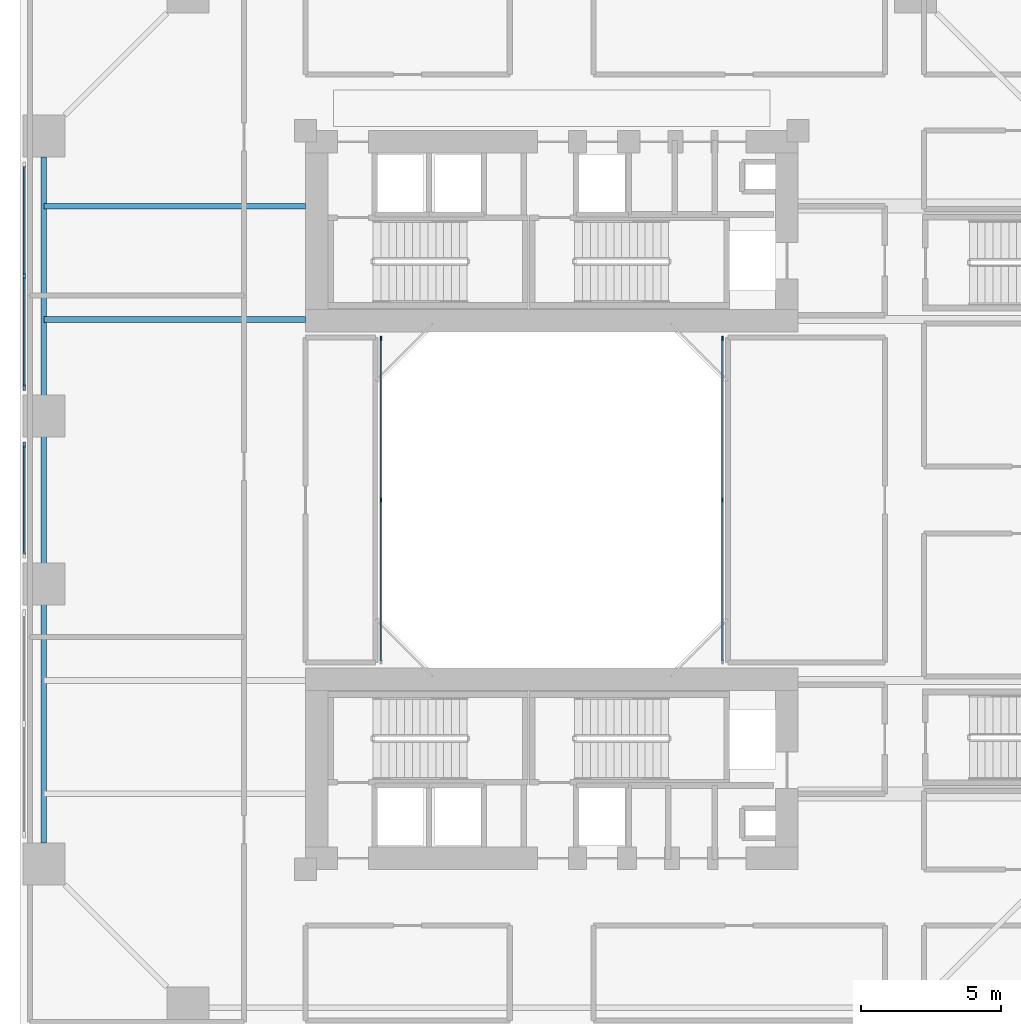
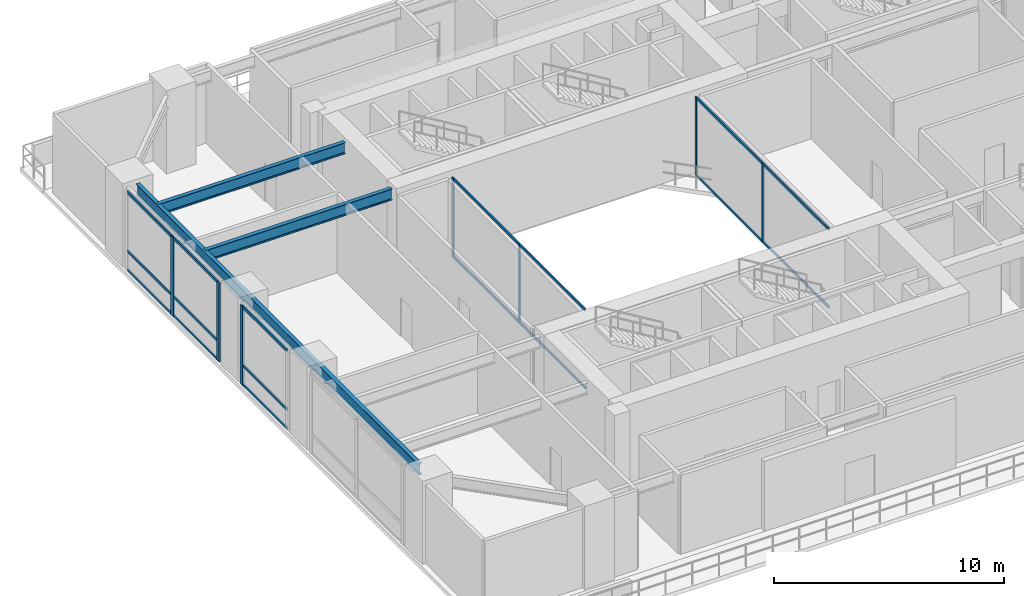
# One storey, part 3 of 19: 24 members, 3 beams, 4 elements without a shape of their own.
"""IFC4 building model written with IfcOpenShell, lengths in metres."""

from ifc_helpers import new_model, si_unit, direction, frame, origin, origin_2d, place, context, subcontext, project, spatial, rectangle, i_section, extrude, source, transform, mapped, material, layer, layer_set, material_profile, profile_set, type_object, element, aggregate, save


model = new_model("IFC4")

# Units and contexts
model_context = context("Model", 3, precision=1e-05, world=origin(), true_north=direction((0.0, 1.0)))
body_context = subcontext(model_context, "Body", "Model", "MODEL_VIEW")
ifc_project = project(units=[si_unit("LENGTHUNIT", "METRE"), si_unit("AREAUNIT", "SQUARE_METRE"), si_unit("VOLUMEUNIT", "CUBIC_METRE"), si_unit("PLANEANGLEUNIT", "RADIAN"), si_unit("MASSUNIT", "GRAM", prefix="KILO"), si_unit("THERMODYNAMICTEMPERATUREUNIT", "KELVIN"), si_unit("POWERUNIT", "WATT")], contexts=[model_context])

# Site, building, storey
site_placement = place(None, origin())
site = spatial("IfcSite", under=ifc_project, at=site_placement, CompositionType="ELEMENT")
building_placement = place(site_placement, origin())
building = spatial("IfcBuilding", under=site, at=building_placement, Name="Qiaomeng Ring Towers", CompositionType="ELEMENT")
storey_placement = place(building_placement, frame((0.0, 0.0, 9.39990234375)))
storey = spatial("IfcBuildingStorey", under=building, at=storey_placement, Name="L02", CompositionType="ELEMENT", Elevation=9.39990234375)

# Beams
ifc_material_1 = material(Name="Steel Q355B", Category="steel")
ifc_material_profile_1 = material_profile(ifc_material_1, i_section(OverallWidth=0.199951171875, OverallDepth=0.60009765625, WebThickness=0.010986328125, FlangeThickness=0.01708984375, FilletRadius=0.02197265625, at=origin_2d()), Name="HN 600x200x11x17")
ifc_profile_set_1 = profile_set([ifc_material_profile_1], Name="Steel Q355B")
beam_type = type_object("IfcBeamType", Name="STR-BM-HN600", PredefinedType="BEAM", material=ifc_profile_set_1)
shared_shape_1 = source(origin(), body_context, "Body", "SweptSolid", [
    extrude(i_section(OverallWidth=0.199951171875, OverallDepth=0.60009765625, WebThickness=0.010986328125, FlangeThickness=0.01708984375, FilletRadius=0.02197265625, at=origin_2d()), origin(), (0.0, 0.0, 1.0), 24.501953125),
])
beam_placement = place(storey_placement, frame((0.85009765625, 10.7490234375, 3.880126953125), z_axis=(0.0, 1.0, 0.0), x_axis=(-1.0, 0.0, 0.0)))
element("IfcBeam", 1, at=beam_placement, inside=storey, type_object=beam_type, Name="L02 beam STR-SP-L02-WL", PredefinedType="BEAM", context=body_context, shape_type="MappedRepresentation", body=[
    mapped(shared_shape_1, transform((0.0, 0.0, 0.0), x_axis=(1.0, 0.0, 0.0), y_axis=(0.0, 1.0, 0.0), z_axis=(0.0, 0.0, 1.0), scale=1.0)),
])
shared_shape_2 = source(origin(), body_context, "Body", "SweptSolid", [
    extrude(i_section(OverallWidth=0.199951171875, OverallDepth=0.60009765625, WebThickness=0.010986328125, FlangeThickness=0.01708984375, FilletRadius=0.02197265625, at=origin_2d()), origin(), (0.0, 0.0, 1.0), 9.349853515625),
])
for number, where, z_axis, x_axis, name in (
    (2, (0.85009765625, 29.449951171875, 3.880126953125), (1.0, 0.0, 0.0), (0.0, 1.0, 0.0), "L02 beam STR-BM-L02-W-2"),
    (3, (0.85009765625, 33.5, 3.880126953125), (1.0, 0.0, 0.0), (0.0, 1.0, 0.0), "L02 beam STR-BM-L02-W-3"),
):
    element("IfcBeam", number, at=place(storey_placement, frame(where, z_axis=z_axis, x_axis=x_axis)), inside=storey, type_object=beam_type, Name=name, PredefinedType="BEAM", context=body_context, shape_type="MappedRepresentation", body=[
        mapped(shared_shape_2, transform((0.0, 0.0, 0.0), x_axis=(1.0, 0.0, 0.0), y_axis=(0.0, 1.0, 0.0), z_axis=(0.0, 0.0, 1.0), scale=1.0)),
    ])

# Curtain wall, members
ifc_material_2 = material(Name="Fluorocarbon dark-grey aluminium", Category="aluminium")
ifc_layer_1 = layer(ifc_material_2, 0.179931640625, Name="Fluorocarbon dark-grey aluminium")
ifc_layer_set_1 = layer_set([ifc_layer_1], Name="Fluorocarbon dark-grey aluminium")
curtain_wall_type_1 = type_object("IfcCurtainWallType", Name="ARC-CW-1", PredefinedType="NOTDEFINED", material=ifc_layer_set_1)
curtain_wall_1_placement = place(storey_placement, origin())
curtain_wall_1 = element("IfcCurtainWall", 4, at=curtain_wall_1_placement, inside=storey, type_object=curtain_wall_type_1, Name="L02 Curtain Wall CW1", PredefinedType="NOTDEFINED")
ifc_material_profile_2 = material_profile(ifc_material_2, rectangle(XDim=0.070068359375, YDim=0.139892578125, at=origin_2d()), Name="ALU TRAN 70x140")
ifc_profile_set_2 = profile_set([ifc_material_profile_2], Name="Fluorocarbon dark-grey aluminium")
member_type_1 = type_object("IfcMemberType", Name="ARC-CWT-140", PredefinedType="USERDEFINED", material=ifc_profile_set_2)
shared_shape_3 = source(origin(), body_context, "Body", "SweptSolid", [
    extrude(rectangle(XDim=0.070068359375, YDim=0.139892578125, at=origin_2d()), origin(), (0.0, 0.0, 1.0), 3.889892578125),
])
member_1_placement = place(storey_placement, frame((0.14990234375, 27.070068359375, 0.03515625), z_axis=(0.0, 1.0, 0.0), x_axis=(-1.0, 0.0, 0.0)))
member_1 = element("IfcMember", 5, at=member_1_placement, type_object=member_type_1, Name="CW1 transom 1.1", ObjectType="TRANSOM", PredefinedType="USERDEFINED", context=body_context, shape_type="MappedRepresentation", body=[
    mapped(shared_shape_3, transform((0.0, 0.0, 0.0), x_axis=(1.0, 0.0, 0.0), y_axis=(0.0, 1.0, 0.0), z_axis=(0.0, 0.0, 1.0), scale=1.0)),
])
member_2_placement = place(storey_placement, frame((0.14990234375, 27.070068359375, 1.050048828125), z_axis=(0.0, 1.0, 0.0), x_axis=(-1.0, 0.0, 0.0)))
member_2 = element("IfcMember", 6, at=member_2_placement, type_object=member_type_1, Name="CW1 transom 1.2", ObjectType="TRANSOM", PredefinedType="USERDEFINED", context=body_context, shape_type="MappedRepresentation", body=[
    mapped(shared_shape_3, transform((0.0, 0.0, 0.0), x_axis=(1.0, 0.0, 0.0), y_axis=(0.0, 1.0, 0.0), z_axis=(0.0, 0.0, 1.0), scale=1.0)),
])
member_3_placement = place(storey_placement, frame((0.14990234375, 27.070068359375, 4.14501953125), z_axis=(0.0, 1.0, 0.0), x_axis=(-1.0, 0.0, 0.0)))
member_3 = element("IfcMember", 7, at=member_3_placement, type_object=member_type_1, Name="CW1 transom 1.3", ObjectType="TRANSOM", PredefinedType="USERDEFINED", context=body_context, shape_type="MappedRepresentation", body=[
    mapped(shared_shape_3, transform((0.0, 0.0, 0.0), x_axis=(1.0, 0.0, 0.0), y_axis=(0.0, 1.0, 0.0), z_axis=(0.0, 0.0, 1.0), scale=1.0)),
])
member_4_placement = place(storey_placement, frame((0.14990234375, 31.0400390625, 0.03515625), z_axis=(0.0, 1.0, 0.0), x_axis=(-1.0, 0.0, 0.0)))
member_4 = element("IfcMember", 8, at=member_4_placement, type_object=member_type_1, Name="CW1 transom 2.1", ObjectType="TRANSOM", PredefinedType="USERDEFINED", context=body_context, shape_type="MappedRepresentation", body=[
    mapped(shared_shape_3, transform((0.0, 0.0, 0.0), x_axis=(1.0, 0.0, 0.0), y_axis=(0.0, 1.0, 0.0), z_axis=(0.0, 0.0, 1.0), scale=1.0)),
])
member_5_placement = place(storey_placement, frame((0.14990234375, 31.0400390625, 1.050048828125), z_axis=(0.0, 1.0, 0.0), x_axis=(-1.0, 0.0, 0.0)))
member_5 = element("IfcMember", 9, at=member_5_placement, type_object=member_type_1, Name="CW1 transom 2.2", ObjectType="TRANSOM", PredefinedType="USERDEFINED", context=body_context, shape_type="MappedRepresentation", body=[
    mapped(shared_shape_3, transform((0.0, 0.0, 0.0), x_axis=(1.0, 0.0, 0.0), y_axis=(0.0, 1.0, 0.0), z_axis=(0.0, 0.0, 1.0), scale=1.0)),
])
member_6_placement = place(storey_placement, frame((0.14990234375, 31.0400390625, 4.14501953125), z_axis=(0.0, 1.0, 0.0), x_axis=(-1.0, 0.0, 0.0)))
member_6 = element("IfcMember", 10, at=member_6_placement, type_object=member_type_1, Name="CW1 transom 2.3", ObjectType="TRANSOM", PredefinedType="USERDEFINED", context=body_context, shape_type="MappedRepresentation", body=[
    mapped(shared_shape_3, transform((0.0, 0.0, 0.0), x_axis=(1.0, 0.0, 0.0), y_axis=(0.0, 1.0, 0.0), z_axis=(0.0, 0.0, 1.0), scale=1.0)),
])

curtain_wall_2_placement = place(storey_placement, origin())
curtain_wall_2 = element("IfcCurtainWall", 11, at=curtain_wall_2_placement, inside=storey, type_object=curtain_wall_type_1, Name="L02 Curtain Wall CW1", PredefinedType="NOTDEFINED")
shared_shape_4 = source(origin(), body_context, "Body", "SweptSolid", [
    extrude(rectangle(XDim=0.070068359375, YDim=0.139892578125, at=origin_2d()), origin(), (0.0, 0.0, 1.0), 3.85986328125),
])
member_7_placement = place(storey_placement, frame((0.14990234375, 21.070068359375, 0.03515625), z_axis=(0.0, 1.0, 0.0), x_axis=(-1.0, 0.0, 0.0)))
member_7 = element("IfcMember", 12, at=member_7_placement, type_object=member_type_1, Name="CW1 transom 1.1", ObjectType="TRANSOM", PredefinedType="USERDEFINED", context=body_context, shape_type="MappedRepresentation", body=[
    mapped(shared_shape_4, transform((0.0, 0.0, 0.0), x_axis=(1.0, 0.0, 0.0), y_axis=(0.0, 1.0, 0.0), z_axis=(0.0, 0.0, 1.0), scale=1.0)),
])
member_8_placement = place(storey_placement, frame((0.14990234375, 21.070068359375, 1.050048828125), z_axis=(0.0, 1.0, 0.0), x_axis=(-1.0, 0.0, 0.0)))
member_8 = element("IfcMember", 13, at=member_8_placement, type_object=member_type_1, Name="CW1 transom 1.2", ObjectType="TRANSOM", PredefinedType="USERDEFINED", context=body_context, shape_type="MappedRepresentation", body=[
    mapped(shared_shape_4, transform((0.0, 0.0, 0.0), x_axis=(1.0, 0.0, 0.0), y_axis=(0.0, 1.0, 0.0), z_axis=(0.0, 0.0, 1.0), scale=1.0)),
])
member_9_placement = place(storey_placement, frame((0.14990234375, 21.070068359375, 4.14501953125), z_axis=(0.0, 1.0, 0.0), x_axis=(-1.0, 0.0, 0.0)))
member_9 = element("IfcMember", 14, at=member_9_placement, type_object=member_type_1, Name="CW1 transom 1.3", ObjectType="TRANSOM", PredefinedType="USERDEFINED", context=body_context, shape_type="MappedRepresentation", body=[
    mapped(shared_shape_4, transform((0.0, 0.0, 0.0), x_axis=(1.0, 0.0, 0.0), y_axis=(0.0, 1.0, 0.0), z_axis=(0.0, 0.0, 1.0), scale=1.0)),
])

ifc_layer_2 = layer(ifc_material_2, 0.139892578125, Name="Fluorocarbon dark-grey aluminium")
ifc_layer_set_2 = layer_set([ifc_layer_2], Name="Fluorocarbon dark-grey aluminium")
curtain_wall_type_2 = type_object("IfcCurtainWallType", Name="ARC-CW-4", PredefinedType="NOTDEFINED", material=ifc_layer_set_2)
curtain_wall_3_placement = place(storey_placement, origin())
curtain_wall_3 = element("IfcCurtainWall", 15, at=curtain_wall_3_placement, inside=storey, type_object=curtain_wall_type_2, Name="L02 Curtain Wall CW4", PredefinedType="NOTDEFINED")
ifc_material_profile_3 = material_profile(ifc_material_2, rectangle(XDim=0.06494140625, YDim=0.1298828125, at=origin_2d()), Name="ALU TRAN 65x130")
ifc_profile_set_3 = profile_set([ifc_material_profile_3], Name="Fluorocarbon dark-grey aluminium")
member_type_2 = type_object("IfcMemberType", Name="ARC-CWT-120", PredefinedType="USERDEFINED", material=ifc_profile_set_3)
shared_shape_5 = source(origin(), body_context, "Body", "SweptSolid", [
    extrude(rectangle(XDim=0.06494140625, YDim=0.1298828125, at=origin_2d()), origin(), (0.0, 0.0, 1.0), 5.70263671875),
])
member_10_placement = place(storey_placement, frame((12.89990234375, 17.264892578125, 0.03271484375), z_axis=(0.0, 1.0, 0.0), x_axis=(-1.0, 0.0, 0.0)))
member_10 = element("IfcMember", 16, at=member_10_placement, type_object=member_type_2, Name="CW4 transom 1.1", ObjectType="TRANSOM", PredefinedType="USERDEFINED", context=body_context, shape_type="MappedRepresentation", body=[
    mapped(shared_shape_5, transform((0.0, 0.0, 0.0), x_axis=(1.0, 0.0, 0.0), y_axis=(0.0, 1.0, 0.0), z_axis=(0.0, 0.0, 1.0), scale=1.0)),
])
member_11_placement = place(storey_placement, frame((12.89990234375, 17.264892578125, 4.147705078125), z_axis=(0.0, 1.0, 0.0), x_axis=(-1.0, 0.0, 0.0)))
member_11 = element("IfcMember", 17, at=member_11_placement, type_object=member_type_2, Name="CW4 transom 1.2", ObjectType="TRANSOM", PredefinedType="USERDEFINED", context=body_context, shape_type="MappedRepresentation", body=[
    mapped(shared_shape_5, transform((0.0, 0.0, 0.0), x_axis=(1.0, 0.0, 0.0), y_axis=(0.0, 1.0, 0.0), z_axis=(0.0, 0.0, 1.0), scale=1.0)),
])
member_12_placement = place(storey_placement, frame((12.89990234375, 23.032470703125, 0.03271484375), z_axis=(0.0, 1.0, 0.0), x_axis=(-1.0, 0.0, 0.0)))
member_12 = element("IfcMember", 18, at=member_12_placement, type_object=member_type_2, Name="CW4 transom 2.1", ObjectType="TRANSOM", PredefinedType="USERDEFINED", context=body_context, shape_type="MappedRepresentation", body=[
    mapped(shared_shape_5, transform((0.0, 0.0, 0.0), x_axis=(1.0, 0.0, 0.0), y_axis=(0.0, 1.0, 0.0), z_axis=(0.0, 0.0, 1.0), scale=1.0)),
])
member_13_placement = place(storey_placement, frame((12.89990234375, 23.032470703125, 4.147705078125), z_axis=(0.0, 1.0, 0.0), x_axis=(-1.0, 0.0, 0.0)))
member_13 = element("IfcMember", 19, at=member_13_placement, type_object=member_type_2, Name="CW4 transom 2.2", ObjectType="TRANSOM", PredefinedType="USERDEFINED", context=body_context, shape_type="MappedRepresentation", body=[
    mapped(shared_shape_5, transform((0.0, 0.0, 0.0), x_axis=(1.0, 0.0, 0.0), y_axis=(0.0, 1.0, 0.0), z_axis=(0.0, 0.0, 1.0), scale=1.0)),
])

curtain_wall_4_placement = place(storey_placement, origin())
curtain_wall_4 = element("IfcCurtainWall", 20, at=curtain_wall_4_placement, inside=storey, type_object=curtain_wall_type_2, Name="L02 Curtain Wall CW4", PredefinedType="NOTDEFINED")
member_14_placement = place(storey_placement, frame((25.10009765625, 17.264892578125, 0.03271484375), z_axis=(0.0, 1.0, 0.0), x_axis=(-1.0, 0.0, 0.0)))
member_14 = element("IfcMember", 21, at=member_14_placement, type_object=member_type_2, Name="CW4 transom 1.1", ObjectType="TRANSOM", PredefinedType="USERDEFINED", context=body_context, shape_type="MappedRepresentation", body=[
    mapped(shared_shape_5, transform((0.0, 0.0, 0.0), x_axis=(1.0, 0.0, 0.0), y_axis=(0.0, 1.0, 0.0), z_axis=(0.0, 0.0, 1.0), scale=1.0)),
])
member_15_placement = place(storey_placement, frame((25.10009765625, 17.264892578125, 4.147705078125), z_axis=(0.0, 1.0, 0.0), x_axis=(-1.0, 0.0, 0.0)))
member_15 = element("IfcMember", 22, at=member_15_placement, type_object=member_type_2, Name="CW4 transom 1.2", ObjectType="TRANSOM", PredefinedType="USERDEFINED", context=body_context, shape_type="MappedRepresentation", body=[
    mapped(shared_shape_5, transform((0.0, 0.0, 0.0), x_axis=(1.0, 0.0, 0.0), y_axis=(0.0, 1.0, 0.0), z_axis=(0.0, 0.0, 1.0), scale=1.0)),
])
member_16_placement = place(storey_placement, frame((25.10009765625, 23.032470703125, 0.03271484375), z_axis=(0.0, 1.0, 0.0), x_axis=(-1.0, 0.0, 0.0)))
member_16 = element("IfcMember", 23, at=member_16_placement, type_object=member_type_2, Name="CW4 transom 2.1", ObjectType="TRANSOM", PredefinedType="USERDEFINED", context=body_context, shape_type="MappedRepresentation", body=[
    mapped(shared_shape_5, transform((0.0, 0.0, 0.0), x_axis=(1.0, 0.0, 0.0), y_axis=(0.0, 1.0, 0.0), z_axis=(0.0, 0.0, 1.0), scale=1.0)),
])
member_17_placement = place(storey_placement, frame((25.10009765625, 23.032470703125, 4.147705078125), z_axis=(0.0, 1.0, 0.0), x_axis=(-1.0, 0.0, 0.0)))
member_17 = element("IfcMember", 24, at=member_17_placement, type_object=member_type_2, Name="CW4 transom 2.2", ObjectType="TRANSOM", PredefinedType="USERDEFINED", context=body_context, shape_type="MappedRepresentation", body=[
    mapped(shared_shape_5, transform((0.0, 0.0, 0.0), x_axis=(1.0, 0.0, 0.0), y_axis=(0.0, 1.0, 0.0), z_axis=(0.0, 0.0, 1.0), scale=1.0)),
])

# Member
ifc_material_profile_4 = material_profile(ifc_material_2, rectangle(XDim=0.080078125, YDim=0.219970703125, at=origin_2d()), Name="ALU MULL 80x220")
ifc_profile_set_4 = profile_set([ifc_material_profile_4], Name="Fluorocarbon dark-grey aluminium")
member_type_3 = type_object("IfcMemberType", Name="ARC-CWM-180", PredefinedType="MULLION", material=ifc_profile_set_4)
shared_shape_6 = source(origin(), body_context, "Body", "SweptSolid", [
    extrude(rectangle(XDim=0.080078125, YDim=0.219970703125, at=origin_2d()), origin(), (0.0, 0.0, 1.0), 4.18017578125),
])
member_18_placement = place(storey_placement, frame((0.14990234375, 24.969970703125, 0.0), z_axis=(0.0, 0.0, 1.0), x_axis=(-1.0, 0.0, 0.0)))
member_18 = element("IfcMember", 25, at=member_18_placement, type_object=member_type_3, Name="CW1 mullion 2", PredefinedType="MULLION", context=body_context, shape_type="MappedRepresentation", body=[
    mapped(shared_shape_6, transform((0.0, 0.0, 0.0), x_axis=(1.0, 0.0, 0.0), y_axis=(0.0, 1.0, 0.0), z_axis=(0.0, 0.0, 1.0), scale=1.0)),
])

aggregate(curtain_wall_2, [member_18, member_7, member_8, member_9])

member_19_placement = place(storey_placement, frame((0.14990234375, 27.030029296875, 0.0), z_axis=(0.0, 0.0, 1.0), x_axis=(-1.0, 0.0, 0.0)))
member_19 = element("IfcMember", 26, at=member_19_placement, type_object=member_type_3, Name="CW1 mullion 1", PredefinedType="MULLION", context=body_context, shape_type="MappedRepresentation", body=[
    mapped(shared_shape_6, transform((0.0, 0.0, 0.0), x_axis=(1.0, 0.0, 0.0), y_axis=(0.0, 1.0, 0.0), z_axis=(0.0, 0.0, 1.0), scale=1.0)),
])

member_20_placement = place(storey_placement, frame((0.14990234375, 31.0, 0.0), z_axis=(0.0, 0.0, 1.0), x_axis=(-1.0, 0.0, 0.0)))
member_20 = element("IfcMember", 27, at=member_20_placement, type_object=member_type_3, Name="CW1 mullion 2", PredefinedType="MULLION", context=body_context, shape_type="MappedRepresentation", body=[
    mapped(shared_shape_6, transform((0.0, 0.0, 0.0), x_axis=(1.0, 0.0, 0.0), y_axis=(0.0, 1.0, 0.0), z_axis=(0.0, 0.0, 1.0), scale=1.0)),
])

aggregate(curtain_wall_1, [member_19, member_20, member_1, member_2, member_3, member_4, member_5, member_6])

ifc_material_profile_5 = material_profile(ifc_material_2, rectangle(XDim=0.06494140625, YDim=0.159912109375, at=origin_2d()), Name="ALU MULL 65x160")
ifc_profile_set_5 = profile_set([ifc_material_profile_5], Name="Fluorocarbon dark-grey aluminium")
member_type_4 = type_object("IfcMemberType", Name="ARC-CWM-140", PredefinedType="MULLION", material=ifc_profile_set_5)
shared_shape_7 = source(origin(), body_context, "Body", "SweptSolid", [
    extrude(rectangle(XDim=0.06494140625, YDim=0.159912109375, at=origin_2d()), origin(), (0.0, 0.0, 1.0), 4.18017578125),
])
member_21_placement = place(storey_placement, frame((12.89990234375, 23.0, 0.0), z_axis=(0.0, 0.0, 1.0), x_axis=(-1.0, 0.0, 0.0)))
member_21 = element("IfcMember", 28, at=member_21_placement, type_object=member_type_4, Name="CW4 mullion 2", PredefinedType="MULLION", context=body_context, shape_type="MappedRepresentation", body=[
    mapped(shared_shape_7, transform((0.0, 0.0, 0.0), x_axis=(1.0, 0.0, 0.0), y_axis=(0.0, 1.0, 0.0), z_axis=(0.0, 0.0, 1.0), scale=1.0)),
])

member_22_placement = place(storey_placement, frame((12.89990234375, 28.767578125, 0.0), z_axis=(0.0, 0.0, 1.0), x_axis=(-1.0, 0.0, 0.0)))
member_22 = element("IfcMember", 29, at=member_22_placement, type_object=member_type_4, Name="CW4 mullion 3", PredefinedType="MULLION", context=body_context, shape_type="MappedRepresentation", body=[
    mapped(shared_shape_7, transform((0.0, 0.0, 0.0), x_axis=(1.0, 0.0, 0.0), y_axis=(0.0, 1.0, 0.0), z_axis=(0.0, 0.0, 1.0), scale=1.0)),
])

aggregate(curtain_wall_3, [member_21, member_22, member_10, member_11, member_12, member_13])

member_23_placement = place(storey_placement, frame((25.10009765625, 23.0, 0.0), z_axis=(0.0, 0.0, 1.0), x_axis=(-1.0, 0.0, 0.0)))
member_23 = element("IfcMember", 30, at=member_23_placement, type_object=member_type_4, Name="CW4 mullion 2", PredefinedType="MULLION", context=body_context, shape_type="MappedRepresentation", body=[
    mapped(shared_shape_7, transform((0.0, 0.0, 0.0), x_axis=(1.0, 0.0, 0.0), y_axis=(0.0, 1.0, 0.0), z_axis=(0.0, 0.0, 1.0), scale=1.0)),
])

member_24_placement = place(storey_placement, frame((25.10009765625, 28.767578125, 0.0), z_axis=(0.0, 0.0, 1.0), x_axis=(-1.0, 0.0, 0.0)))
member_24 = element("IfcMember", 31, at=member_24_placement, type_object=member_type_4, Name="CW4 mullion 3", PredefinedType="MULLION", context=body_context, shape_type="MappedRepresentation", body=[
    mapped(shared_shape_7, transform((0.0, 0.0, 0.0), x_axis=(1.0, 0.0, 0.0), y_axis=(0.0, 1.0, 0.0), z_axis=(0.0, 0.0, 1.0), scale=1.0)),
])

aggregate(curtain_wall_4, [member_23, member_24, member_14, member_15, member_16, member_17])

save(model, "model.ifc")
